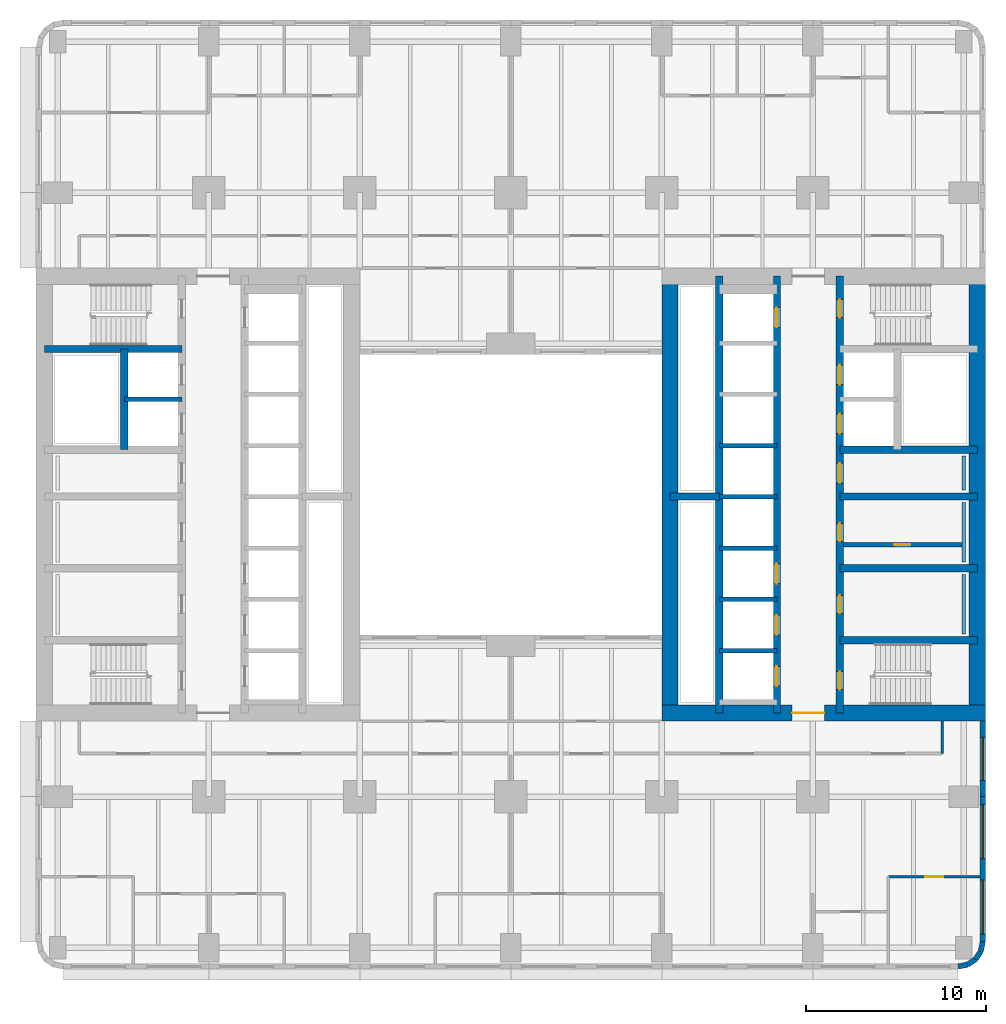
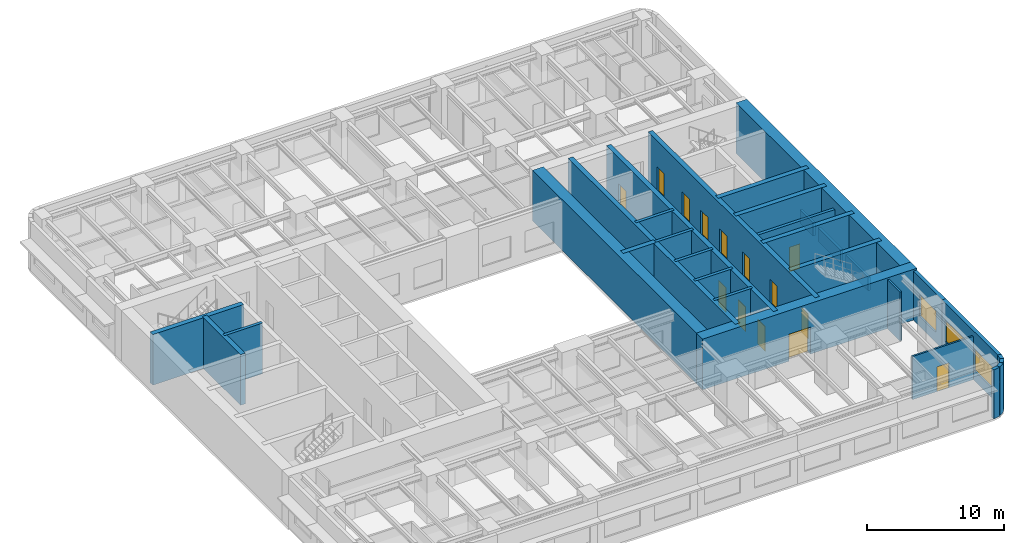
# One storey, part 5 of 12: 31 walls, 14 doors, 3 windows, 17 openings.
"""IFC4 building model written with IfcOpenShell, lengths in metres."""

import ifcopenshell
import ifcopenshell.guid

model = None  # the IFC model being written
_history = None  # IfcOwnerHistory: only IFC2X3 demands one
_inside = {}  # id of a spatial element -> (the spatial element, [elements in it])
_under = {}  # id of a project, library or spatial element -> (it, [spatial elements below it])
_declared = {}  # id of a project -> (the project, [libraries it declares])
_typed = {}  # id of a type object -> (the type object, [elements of that type])
_made_of = {}  # id of a material, layer set ... -> (it, [elements and type objects made of it])


def new_model(schema):
    """Start an empty IFC model of exactly this schema.

    Asked for "IFC4X3", IfcOpenShell would pick the latest addendum, in which some entities
    have other attributes; the version numbers below select the first issue.
    IFC2X3 requires an IfcOwnerHistory on every rooted entity: one is made here for all.
    """
    global model, _history
    if schema == "IFC4X3":
        model = ifcopenshell.file(schema_version=(4, 3, 0, 0))
    else:
        model = ifcopenshell.file(schema=schema)
    _inside.clear()
    _under.clear()
    _declared.clear()
    _typed.clear()
    _made_of.clear()
    _history = None
    if model.schema == "IFC2X3":
        org = make("IfcOrganization", Name="unknown")
        user = make(
            "IfcPersonAndOrganization",
            ThePerson=make("IfcPerson", FamilyName="unknown"),
            TheOrganization=org,
        )
        app = make(
            "IfcApplication",
            ApplicationDeveloper=org,
            Version="unknown",
            ApplicationFullName="unknown",
            ApplicationIdentifier="unknown",
        )
        _history = make(
            "IfcOwnerHistory",
            OwningUser=user,
            OwningApplication=app,
            ChangeAction="ADDED",
            CreationDate=0,
        )
    return model


def make(cls, **values):
    """One entity of the class cls with the attributes given. An attribute that is None is left unset."""
    return model.create_entity(
        cls, **{name: value for name, value in values.items() if value is not None}
    )


def rooted(cls, **values):
    """An entity with a GlobalId (a new one), such as an element, a storey or a relation."""
    return make(cls, GlobalId=ifcopenshell.guid.new(), OwnerHistory=_history, **values)


def si_unit(unit_type, name, prefix=None):
    """IfcSIUnit, for example si_unit("LENGTHUNIT", "METRE", prefix="MILLI")."""
    return make("IfcSIUnit", UnitType=unit_type, Prefix=prefix, Name=name)


def assignment(units):
    """IfcUnitAssignment: the units of a project."""
    return None if units is None else make("IfcUnitAssignment", Units=units)


def point(xyz):
    """IfcCartesianPoint."""
    return None if xyz is None else make("IfcCartesianPoint", Coordinates=xyz)


def direction(xyz):
    """IfcDirection."""
    return None if xyz is None else make("IfcDirection", DirectionRatios=xyz)


def frame(location, z_axis=None, x_axis=None):
    """IfcAxis2Placement3D, a coordinate frame: its origin and axes. An axis left out is left unset."""
    return make(
        "IfcAxis2Placement3D",
        Location=point(location),
        Axis=direction(z_axis),
        RefDirection=direction(x_axis),
    )


def frame_2d(location, x_axis=None):
    """IfcAxis2Placement2D, a coordinate frame in the plane: its origin and x axis."""
    return make(
        "IfcAxis2Placement2D", Location=point(location), RefDirection=direction(x_axis)
    )


def origin():
    """The frame at (0, 0, 0) with its axes left unset."""
    return frame((0.0, 0.0, 0.0))


def place(relative_to, where):
    """IfcLocalPlacement: puts the frame where relative to a parent placement (None: the world)."""
    return make(
        "IfcLocalPlacement", PlacementRelTo=relative_to, RelativePlacement=where
    )


def context(
    kind, dimensions, precision=None, world=None, true_north=None, identifier=None
):
    """IfcGeometricRepresentationContext, for example the 3D "Model" context."""
    return make(
        "IfcGeometricRepresentationContext",
        ContextIdentifier=identifier,
        ContextType=kind,
        CoordinateSpaceDimension=dimensions,
        Precision=precision,
        WorldCoordinateSystem=world,
        TrueNorth=true_north,
    )


def subcontext(parent, identifier, kind, view, scale=None):
    """IfcGeometricRepresentationSubContext, for example "Body" below "Model"."""
    return make(
        "IfcGeometricRepresentationSubContext",
        ContextIdentifier=identifier,
        ContextType=kind,
        ParentContext=parent,
        TargetScale=scale,
        TargetView=view,
    )


def project(units=None, contexts=None):
    """IfcProject with its units and contexts."""
    return rooted(
        "IfcProject",
        Name="project",
        RepresentationContexts=contexts,
        UnitsInContext=assignment(units),
    )


def spatial(cls, under=None, at=None, **own):
    """A site, building, storey or space (cls), placed at a placement, below another one or the project."""
    s = rooted(cls, ObjectPlacement=at, **own)
    if under is not None:
        _under.setdefault(under.id(), (under, []))[1].append(s)
    return s


def profile(cls, at=None, kind="AREA", **sizes):
    """A parametric profile (cls). Its sizes go by their IFC names, for example OverallWidth=200.0."""
    return make(cls, ProfileType=kind, Position=at, **sizes)


def rectangle(**sizes):
    """IfcRectangleProfileDef."""
    return profile("IfcRectangleProfileDef", **sizes)


def extrude(swept, where, along, depth):
    """IfcExtrudedAreaSolid: the profile swept, set in the frame where, extruded along a direction by depth."""
    return make(
        "IfcExtrudedAreaSolid",
        SweptArea=swept,
        Position=where,
        ExtrudedDirection=direction(along),
        Depth=depth,
    )


def shape(context_of_items, identifier, shape_type, items):
    """IfcShapeRepresentation: the items that make up one representation, for example the "Body"."""
    return make(
        "IfcShapeRepresentation",
        ContextOfItems=context_of_items,
        RepresentationIdentifier=identifier,
        RepresentationType=shape_type,
        Items=items,
    )


def material(Name=None, Category=None):
    """IfcMaterial."""
    return make("IfcMaterial", Name=Name, Category=Category)


def layer(
    of_material, thickness, ventilated=None, Name=None, Category=None, Priority=None
):
    """IfcMaterialLayer: one layer of a wall or slab, of a material (None: an air gap)."""
    return make(
        "IfcMaterialLayer",
        Material=of_material,
        LayerThickness=thickness,
        IsVentilated=ventilated,
        Name=Name,
        Category=Category,
        Priority=Priority,
    )


def layer_set(layers, Name=None):
    """IfcMaterialLayerSet."""
    return make("IfcMaterialLayerSet", MaterialLayers=layers, LayerSetName=Name)


def made_of(thing, what):
    """Note that an element or type object is made of a material, layer set ...; save() writes the relation."""
    if what is not None:
        _made_of.setdefault(what.id(), (what, []))[1].append(thing)
    return thing


def type_object(cls, material=None, **own):
    """A type object (cls), such as IfcWallType, which elements share."""
    return made_of(rooted(cls, **own), material)


def element(
    cls,
    number,
    at=None,
    inside=None,
    cuts=None,
    type_object=None,
    material=None,
    context=None,
    identifier="Body",
    shape_type=None,
    held_by="IfcProductDefinitionShape",
    body=None,
    shapes=None,
    **own,
):
    """One element of the class cls, such as IfcWall. Its Tag is "e" and its number.

    at: its placement. inside: the storey or other place that contains it. cuts: it is an
    opening in that element (IfcRelVoidsElement). A single representation is given by context,
    identifier, shape_type and body (its items); several are given by shapes. held_by: the class
    of the entity that holds the representations. save() writes the other relations.
    """
    e = rooted(cls, Tag="e%d" % number, ObjectPlacement=at, **own)
    if body is not None:
        shapes = [shape(context, identifier, shape_type, body)]
    if shapes is not None:
        e.Representation = make(held_by, Representations=shapes)
    if inside is not None:
        _inside.setdefault(inside.id(), (inside, []))[1].append(e)
    if cuts is not None:
        rooted(
            "IfcRelVoidsElement", RelatingBuildingElement=cuts, RelatedOpeningElement=e
        )
    if type_object is not None:
        _typed.setdefault(type_object.id(), (type_object, []))[1].append(e)
    return made_of(e, material)


def fill(opening, filler):
    """IfcRelFillsElement: the door or window that sits in an opening."""
    return rooted(
        "IfcRelFillsElement",
        RelatingOpeningElement=opening,
        RelatedBuildingElement=filler,
    )


def aggregate(whole, parts):
    """IfcRelAggregates: a whole, such as a stair, and the parts it consists of."""
    return rooted("IfcRelAggregates", RelatingObject=whole, RelatedObjects=parts)


def save(model, path):
    """Write the relations noted so far, then the file.

    IfcRelAggregates (storeys below a building ...), IfcRelContainedInSpatialStructure (elements
    in a storey), IfcRelDefinesByType, IfcRelAssociatesMaterial and IfcRelDeclares: one each for
    every whole, place, type object, material and project.
    """
    for whole, parts in _under.values():
        aggregate(whole, parts)
    for where, things in _inside.values():
        rooted(
            "IfcRelContainedInSpatialStructure",
            RelatedElements=things,
            RelatingStructure=where,
        )
    for kind, things in _typed.values():
        rooted("IfcRelDefinesByType", RelatedObjects=things, RelatingType=kind)
    for what, things in _made_of.values():
        rooted("IfcRelAssociatesMaterial", RelatedObjects=things, RelatingMaterial=what)
    for by, libraries in _declared.values():
        rooted("IfcRelDeclares", RelatingContext=by, RelatedDefinitions=libraries)
    model.write(path)


model = new_model("IFC4")

# Units and contexts
model_context = context("Model", 3, precision=1e-05, world=origin(), true_north=direction((0.0, 1.0)))
body_context = subcontext(model_context, "Body", "Model", "MODEL_VIEW")
ifc_project = project(units=[si_unit("LENGTHUNIT", "METRE"), si_unit("AREAUNIT", "SQUARE_METRE"), si_unit("VOLUMEUNIT", "CUBIC_METRE"), si_unit("PLANEANGLEUNIT", "RADIAN"), si_unit("MASSUNIT", "GRAM", prefix="KILO")], contexts=[model_context])

# Site, building, storey
site_placement = place(None, origin())
site = spatial("IfcSite", under=ifc_project, at=site_placement, CompositionType="ELEMENT")
building_placement = place(site_placement, origin())
building = spatial("IfcBuilding", under=site, at=building_placement, Name="Claustro Exchange Tower", CompositionType="ELEMENT")
storey_placement = place(building_placement, frame((0.0, 0.0, 45.89990234375)))
storey = spatial("IfcBuildingStorey", under=building, at=storey_placement, Name="L10", CompositionType="ELEMENT", Elevation=45.89990234375)

# Wall, opening, door
ifc_material_1 = material(Name="Gypsum board on steel studs", Category="steel")
ifc_layer_1 = layer(ifc_material_1, 0.14990234375)
ifc_layer_set_1 = layer_set([ifc_layer_1], Name="Gypsum board on steel studs")
wall_type_1 = type_object("IfcWallType", Name="P1 150 plasterboard partition", PredefinedType="PARTITIONING", material=ifc_layer_set_1)
wall_1_placement = place(storey_placement, frame((46.199951171875, 3.949951171875, 0.0), z_axis=(0.0, 0.0, 1.0), x_axis=(1.0, 0.0, 0.0)))
wall_1 = element("IfcWall", 1, at=wall_1_placement, inside=storey, type_object=wall_type_1, Name="Partition P1 L10", PredefinedType="PARTITIONING", context=body_context, shape_type="SweptSolid", body=[
    extrude(rectangle(XDim=5.10205078125, YDim=0.14990234375, at=frame_2d((2.551025390625, 0.0))), origin(), (0.0, 0.0, 1.0), 3.840087890625),
])
opening_1_placement = place(wall_1_placement, frame((2.050048828125, 0.0, 0.0)))
opening_1 = element("IfcOpeningElement", 2, at=opening_1_placement, cuts=wall_1, Name="Opening D1", PredefinedType="OPENING", context=body_context, shape_type="SweptSolid", body=[
    extrude(rectangle(XDim=1.0, YDim=2.199951171875, at=frame_2d((0.5, 1.10009765625))), frame((0.0, 0.0849609375, 0.0), z_axis=(0.0, -1.0, 0.0), x_axis=(1.0, 0.0, 0.0)), (0.0, 0.0, 1.0), 0.169921875),
])
ifc_material_2 = material(Name="Timber door, oak veneer", Category="wood")
door_type_1 = type_object("IfcDoorType", Name="D1 1000 x 2200 single door", OperationType="SINGLE_SWING_LEFT", PredefinedType="DOOR", material=ifc_material_2)
door_1_placement = place(opening_1_placement, frame((1.0, 0.0, 0.0), z_axis=(0.0, 0.0, 1.0), x_axis=(-1.0, 0.0, 0.0)))
door_1 = element("IfcDoor", 3, at=door_1_placement, inside=storey, type_object=door_type_1, Name="Door D1 L10", OperationType="SINGLE_SWING_RIGHT", OverallHeight=2.199951171875, OverallWidth=1.0, PredefinedType="DOOR", context=body_context, shape_type="SweptSolid", body=[
    extrude(rectangle(XDim=1.0, YDim=2.199951171875, at=frame_2d((0.5, 1.10009765625))), frame((0.0, 0.02490234375, 0.0), z_axis=(0.0, -1.0, 0.0), x_axis=(1.0, 0.0, 0.0)), (0.0, 0.0, 1.0), 0.050048828125),
])
fill(opening_1, door_1)

# Wall
wall_2_placement = place(storey_placement, frame((49.199951171875, 10.800048828125, 0.0), z_axis=(0.0, 0.0, 1.0), x_axis=(0.0, 1.0, 0.0)))
element("IfcWall", 4, at=wall_2_placement, inside=storey, type_object=wall_type_1, Name="Partition P1 L10", PredefinedType="PARTITIONING", context=body_context, shape_type="SweptSolid", body=[
    extrude(rectangle(XDim=1.802001953125, YDim=0.14990234375, at=frame_2d((0.90087890625, 0.0))), origin(), (0.0, 0.0, 1.0), 4.340087890625),
])

# Wall, opening, door
ifc_material_3 = material(Name="Concrete blockwork, rendered", Category="masonry")
ifc_layer_2 = layer(ifc_material_3, 0.25)
ifc_layer_set_2 = layer_set([ifc_layer_2], Name="Concrete blockwork, rendered")
wall_type_2 = type_object("IfcWallType", Name="P4 250 blockwork wall", PredefinedType="PARTITIONING", material=ifc_layer_set_2)
wall_3_placement = place(storey_placement, frame((43.699951171875, 22.39990234375, 0.0), z_axis=(0.0, 0.0, 1.0), x_axis=(1.0, 0.0, 0.0)))
wall_3 = element("IfcWall", 5, at=wall_3_placement, inside=storey, type_object=wall_type_2, Name="Partition P4 L10", PredefinedType="PARTITIONING", context=body_context, shape_type="SweptSolid", body=[
    extrude(rectangle(XDim=6.60009765625, YDim=0.25, at=frame_2d((3.300048828125, 0.0))), origin(), (0.0, 0.0, 1.0), 4.300048828125),
])
opening_2_placement = place(wall_3_placement, frame((2.824951171875, 0.0, 0.0)))
opening_2 = element("IfcOpeningElement", 6, at=opening_2_placement, cuts=wall_3, Name="Opening D5", PredefinedType="OPENING", context=body_context, shape_type="SweptSolid", body=[
    extrude(rectangle(XDim=0.89990234375, YDim=2.199951171875, at=frame_2d((0.449951171875, 1.10009765625))), frame((0.0, 0.135009765625, 0.0), z_axis=(0.0, -1.0, 0.0), x_axis=(1.0, 0.0, 0.0)), (0.0, 0.0, 1.0), 0.27001953125),
])
ifc_material_4 = material(Name="Steel door, painted", Category="steel")
door_type_2 = type_object("IfcDoorType", Name="D5 900 x 2200 store door", OperationType="SINGLE_SWING_LEFT", PredefinedType="DOOR", material=ifc_material_4)
door_2_placement = place(opening_2_placement, frame((0.89990234375, 0.0, 0.0), z_axis=(0.0, 0.0, 1.0), x_axis=(-1.0, 0.0, 0.0)))
door_2 = element("IfcDoor", 7, at=door_2_placement, inside=storey, type_object=door_type_2, Name="Store door D5 L10", OperationType="SINGLE_SWING_LEFT", OverallHeight=2.199951171875, OverallWidth=0.89990234375, PredefinedType="DOOR", context=body_context, shape_type="SweptSolid", body=[
    extrude(rectangle(XDim=0.89990234375, YDim=2.199951171875, at=frame_2d((0.449951171875, 1.10009765625))), frame((0.0, 0.02490234375, 0.0), z_axis=(0.0, -1.0, 0.0), x_axis=(1.0, 0.0, 0.0)), (0.0, 0.0, 1.0), 0.050048828125),
])
fill(opening_2, door_2)

# Wall, opening, window
ifc_material_5 = material(Name="Concrete HA-40 (C40/50), precast, white cement, acid-etched", Category="concrete")
ifc_layer_3 = layer(ifc_material_5, 0.300048828125)
ifc_layer_set_3 = layer_set([ifc_layer_3], Name="Concrete HA-40 (C40/50), precast, white cement, acid-etched")
wall_type_3 = type_object("IfcWallType", Name="PC1 300 precast concrete pier panel", PredefinedType="SOLIDWALL", material=ifc_layer_set_3)
wall_4_placement = place(storey_placement, frame((51.449951171875, 12.60009765625, 0.0), z_axis=(0.0, 0.0, 1.0), x_axis=(0.0, -1.0, 0.0)))
wall_4 = element("IfcWall", 8, at=wall_4_placement, inside=storey, type_object=wall_type_3, Name="Precast pier panel PC1 L10", PredefinedType="SOLIDWALL", context=body_context, shape_type="SweptSolid", body=[
    extrude(rectangle(XDim=4.2001953125, YDim=0.300048828125, at=frame_2d((2.10009765625, 0.0))), origin(), (0.0, 0.0, 1.0), 4.340087890625),
])
opening_3_placement = place(wall_4_placement, frame((0.89990234375, 0.0, 0.89990234375)))
opening_3 = element("IfcOpeningElement", 9, at=opening_3_placement, cuts=wall_4, Name="Opening W2", PredefinedType="OPENING", context=body_context, shape_type="SweptSolid", body=[
    extrude(rectangle(XDim=2.39990234375, YDim=1.89990234375, at=frame_2d((1.199951171875, 0.949951171875))), frame((0.0, 0.159912109375, 0.0), z_axis=(0.0, -1.0, 0.0), x_axis=(1.0, 0.0, 0.0)), (0.0, 0.0, 1.0), 0.320068359375),
])
ifc_material_6 = material(Name="Aluminium frame, clear double glazing", Category="aluminium")
window_type_1 = type_object("IfcWindowType", Name="W2 2400 x 1900 window", PartitioningType="SINGLE_PANEL", PredefinedType="WINDOW", material=ifc_material_6)
window_1_placement = place(opening_3_placement, origin())
window_1 = element("IfcWindow", 10, at=window_1_placement, inside=storey, type_object=window_type_1, Name="Window W2 L10", OverallHeight=1.89990234375, OverallWidth=2.39990234375, PartitioningType="SINGLE_PANEL", PredefinedType="WINDOW", context=body_context, shape_type="SweptSolid", body=[
    extrude(rectangle(XDim=2.39990234375, YDim=1.89990234375, at=frame_2d((1.199951171875, 0.949951171875))), frame((0.0, 0.030029296875, 0.0), z_axis=(0.0, -1.0, 0.0), x_axis=(1.0, 0.0, 0.0)), (0.0, 0.0, 1.0), 0.06005859375),
])
fill(opening_3, window_1)

# Wall, openings, windows
wall_5_placement = place(storey_placement, frame((51.449951171875, 8.39990234375, 0.0), z_axis=(0.0, 0.0, 1.0), x_axis=(0.0, -1.0, 0.0)))
wall_5 = element("IfcWall", 11, at=wall_5_placement, inside=storey, type_object=wall_type_3, Name="Precast pier panel PC1 L10", PredefinedType="SOLIDWALL", context=body_context, shape_type="SweptSolid", body=[
    extrude(rectangle(XDim=8.085205078125, YDim=0.300048828125, at=frame_2d((4.04248046875, 0.0))), origin(), (0.0, 0.0, 1.0), 4.340087890625),
])
opening_4_placement = place(wall_5_placement, frame((0.442626953125, 0.0, 0.89990234375)))
opening_4 = element("IfcOpeningElement", 12, at=opening_4_placement, cuts=wall_5, Name="Opening W1", PredefinedType="OPENING", context=body_context, shape_type="SweptSolid", body=[
    extrude(rectangle(XDim=3.0, YDim=1.89990234375, at=frame_2d((1.5, 0.949951171875))), frame((0.0, 0.159912109375, 0.0), z_axis=(0.0, -1.0, 0.0), x_axis=(1.0, 0.0, 0.0)), (0.0, 0.0, 1.0), 0.320068359375),
])
opening_5_placement = place(wall_5_placement, frame((4.642578125, 0.0, 0.89990234375)))
opening_5 = element("IfcOpeningElement", 13, at=opening_5_placement, cuts=wall_5, Name="Opening W1", PredefinedType="OPENING", context=body_context, shape_type="SweptSolid", body=[
    extrude(rectangle(XDim=3.0, YDim=1.89990234375, at=frame_2d((1.5, 0.949951171875))), frame((0.0, 0.159912109375, 0.0), z_axis=(0.0, -1.0, 0.0), x_axis=(1.0, 0.0, 0.0)), (0.0, 0.0, 1.0), 0.320068359375),
])
ifc_material_7 = material(Name="Aluminium frame, clear double glazing", Category="aluminium")
window_type_2 = type_object("IfcWindowType", Name="W1 3000 x 1900 window", PartitioningType="SINGLE_PANEL", PredefinedType="WINDOW", material=ifc_material_7)
window_2_placement = place(opening_4_placement, origin())
window_2 = element("IfcWindow", 14, at=window_2_placement, inside=storey, type_object=window_type_2, Name="Window W1 L10", OverallHeight=1.89990234375, OverallWidth=3.0, PartitioningType="SINGLE_PANEL", PredefinedType="WINDOW", context=body_context, shape_type="SweptSolid", body=[
    extrude(rectangle(XDim=3.0, YDim=1.89990234375, at=frame_2d((1.5, 0.949951171875))), frame((0.0, 0.030029296875, 0.0), z_axis=(0.0, -1.0, 0.0), x_axis=(1.0, 0.0, 0.0)), (0.0, 0.0, 1.0), 0.06005859375),
])
fill(opening_4, window_2)
window_3_placement = place(opening_5_placement, origin())
window_3 = element("IfcWindow", 15, at=window_3_placement, inside=storey, type_object=window_type_2, Name="Window W1 L10", OverallHeight=1.89990234375, OverallWidth=3.0, PartitioningType="SINGLE_PANEL", PredefinedType="WINDOW", context=body_context, shape_type="SweptSolid", body=[
    extrude(rectangle(XDim=3.0, YDim=1.89990234375, at=frame_2d((1.5, 0.949951171875))), frame((0.0, 0.030029296875, 0.0), z_axis=(0.0, -1.0, 0.0), x_axis=(1.0, 0.0, 0.0)), (0.0, 0.0, 1.0), 0.06005859375),
])
fill(opening_5, window_3)

# Walls
wall_6_placement = place(storey_placement, frame((51.449951171875, 0.314697265625, 0.0), z_axis=(0.0, 0.0, 1.0), x_axis=(-0.195073962632, -0.980788534345, 0.0)))
element("IfcWall", 16, at=wall_6_placement, inside=storey, type_object=wall_type_3, Name="Precast pier panel PC1 L10", PredefinedType="SOLIDWALL", context=body_context, shape_type="SweptSolid", body=[
    extrude(rectangle(XDim=0.540771484375, YDim=0.300048828125, at=frame_2d((0.2705078125, 0.0))), origin(), (0.0, 0.0, 1.0), 4.340087890625),
])
for number, where, z_axis, x_axis, name in (
    (17, (51.344482421875, -0.215576171875, 0.0), (0.0, 0.0, 1.0), (-0.555557463938, -0.831478144188, 0.0), "Precast pier panel PC1 L10"),
    (18, (51.052490234375, -0.652587890625, 0.0), (0.0, 0.0, 1.0), (-0.831478144188, -0.555557463938, 0.0), "Precast pier panel PC1 L10"),
):
    element("IfcWall", number, at=place(storey_placement, frame(where, z_axis=z_axis, x_axis=x_axis)), inside=storey, type_object=wall_type_3, Name=name, PredefinedType="SOLIDWALL", context=body_context, shape_type="SweptSolid", body=[
        extrude(rectangle(XDim=0.525634765625, YDim=0.300048828125, at=frame_2d((0.2626953125, 0.0))), origin(), (0.0, 0.0, 1.0), 4.340087890625),
    ])
wall_7_placement = place(storey_placement, frame((50.615478515625, -0.944580078125, 0.0), z_axis=(0.0, 0.0, 1.0), x_axis=(-0.980788534345, -0.195073962632, 0.0)))
element("IfcWall", 19, at=wall_7_placement, inside=storey, type_object=wall_type_3, Name="Precast pier panel PC1 L10", PredefinedType="SOLIDWALL", context=body_context, shape_type="SweptSolid", body=[
    extrude(rectangle(XDim=0.540771484375, YDim=0.300048828125, at=frame_2d((0.2705078125, 0.0))), origin(), (0.0, 0.0, 1.0), 4.340087890625),
])
ifc_material_8 = material(Name="Gypsum board on steel studs, tiled", Category="steel")
ifc_layer_4 = layer(ifc_material_8, 0.199951171875)
ifc_layer_set_4 = layer_set([ifc_layer_4], Name="Gypsum board on steel studs, tiled")
wall_type_4 = type_object("IfcWallType", Name="PW1 200 WC duct wall", PredefinedType="PLUMBINGWALL", material=ifc_layer_set_4)
for number, where, z_axis, x_axis, name in (
    (20, (50.39990234375, 17.449951171875, 0.0), (0.0, 0.0, 1.0), (0.0, 1.0, 0.0), "WC duct wall PW1 L10"),
    (21, (50.39990234375, 21.449951171875, 0.0), (0.0, 0.0, 1.0), (0.0, 1.0, 0.0), "WC duct wall PW1 L10"),
):
    element("IfcWall", number, at=place(storey_placement, frame(where, z_axis=z_axis, x_axis=x_axis)), inside=storey, type_object=wall_type_4, Name=name, PredefinedType="PLUMBINGWALL", context=body_context, shape_type="SweptSolid", body=[
        extrude(rectangle(XDim=3.300048828125, YDim=0.199951171875, at=frame_2d((1.64990234375, 0.0))), origin(), (0.0, 0.0, 1.0), 1.2001953125),
    ])
wall_8_placement = place(storey_placement, frame((50.39990234375, 25.449951171875, 0.0), z_axis=(0.0, 0.0, 1.0), x_axis=(0.0, 1.0, 0.0)))
element("IfcWall", 22, at=wall_8_placement, inside=storey, type_object=wall_type_4, Name="WC duct wall PW1 L10", PredefinedType="PLUMBINGWALL", context=body_context, shape_type="SweptSolid", body=[
    extrude(rectangle(XDim=1.900146484375, YDim=0.199951171875, at=frame_2d((0.9501953125, 0.0))), origin(), (0.0, 0.0, 1.0), 1.2001953125),
])

# Wall, opening, door
ifc_material_9 = material(Name="Concrete HA-70 (C70/85)", Category="concrete")
ifc_layer_5 = layer(ifc_material_9, 0.89990234375)
ifc_layer_set_5 = layer_set([ifc_layer_5], Name="Concrete HA-70 (C70/85)")
wall_type_5 = type_object("IfcWallType", Name="SW1 900 core shear wall", PredefinedType="SHEAR", material=ifc_layer_set_5)
wall_9_placement = place(storey_placement, frame((33.60009765625, 13.050048828125, 0.0), z_axis=(0.0, 0.0, 1.0), x_axis=(1.0, 0.0, 0.0)))
wall_9 = element("IfcWall", 23, at=wall_9_placement, inside=storey, type_object=wall_type_5, Name="Core wall SW1 E core S face L10", PredefinedType="SHEAR", context=body_context, shape_type="SweptSolid", body=[
    extrude(rectangle(XDim=18.0, YDim=0.89990234375, at=frame_2d((9.0, 0.0))), origin(), (0.0, 0.0, 1.0), 4.5),
])
opening_6_placement = place(wall_9_placement, frame((7.25, 0.0, 0.0)))
opening_6 = element("IfcOpeningElement", 24, at=opening_6_placement, cuts=wall_9, Name="Opening D3", PredefinedType="OPENING", context=body_context, shape_type="SweptSolid", body=[
    extrude(rectangle(XDim=1.800048828125, YDim=2.39990234375, at=frame_2d((0.89990234375, 1.199951171875))), frame((0.0, 0.4599609375, 0.0), z_axis=(0.0, -1.0, 0.0), x_axis=(1.0, 0.0, 0.0)), (0.0, 0.0, 1.0), 0.919921875),
])
ifc_material_10 = material(Name="Steel fire door, painted", Category="steel")
door_type_3 = type_object("IfcDoorType", Name="D3 1800 x 2400 fire-rated lobby double door", OperationType="DOUBLE_DOOR_SINGLE_SWING", PredefinedType="DOOR", material=ifc_material_10)
door_3_placement = place(opening_6_placement, origin())
door_3 = element("IfcDoor", 25, at=door_3_placement, inside=storey, type_object=door_type_3, Name="Lift lobby door D3 L10", OperationType="DOUBLE_DOOR_SINGLE_SWING", OverallHeight=2.39990234375, OverallWidth=1.800048828125, PredefinedType="DOOR", context=body_context, shape_type="SweptSolid", body=[
    extrude(rectangle(XDim=1.800048828125, YDim=2.39990234375, at=frame_2d((0.89990234375, 1.199951171875))), frame((0.0, 0.02490234375, 0.0), z_axis=(0.0, -1.0, 0.0), x_axis=(1.0, 0.0, 0.0)), (0.0, 0.0, 1.0), 0.050048828125),
])
fill(opening_6, door_3)

# Walls
ifc_material_11 = material(Name="Concrete HA-70 (C70/85)", Category="concrete")
ifc_layer_6 = layer(ifc_material_11, 0.89990234375)
ifc_layer_set_6 = layer_set([ifc_layer_6], Name="Concrete HA-70 (C70/85)")
wall_type_6 = type_object("IfcWallType", Name="SW1X 900 exposed core shear wall, board-marked face", PredefinedType="SHEAR", material=ifc_layer_set_6)
for number, where, z_axis, x_axis, name in (
    (26, (34.050048828125, 13.050048828125, 0.0), (0.0, 0.0, 1.0), (0.0, 1.0, 0.0), "Core wall SW1X E core W face L10"),
    (27, (51.14990234375, 13.050048828125, 0.0), (0.0, 0.0, 1.0), (0.0, 1.0, 0.0), "Core wall SW1X E core E face L10"),
):
    element("IfcWall", number, at=place(storey_placement, frame(where, z_axis=z_axis, x_axis=x_axis)), inside=storey, type_object=wall_type_6, Name=name, PredefinedType="SHEAR", context=body_context, shape_type="SweptSolid", body=[
        extrude(rectangle(XDim=24.300048828125, YDim=0.89990234375, at=frame_2d((12.14990234375, 0.0))), origin(), (0.0, 0.0, 1.0), 4.5),
    ])
ifc_material_12 = material(Name="Concrete HA-50 (C50/60)", Category="concrete")
ifc_layer_7 = layer(ifc_material_12, 0.39990234375)
ifc_layer_set_7 = layer_set([ifc_layer_7], Name="Concrete HA-50 (C50/60)")
wall_type_7 = type_object("IfcWallType", Name="SW4 400 internal core wall", PredefinedType="SHEAR", material=ifc_layer_set_7)
wall_10_placement = place(storey_placement, frame((-0.75, 33.300048828125, 0.0), z_axis=(0.0, 0.0, 1.0), x_axis=(1.0, 0.0, 0.0)))
element("IfcWall", 28, at=wall_10_placement, inside=storey, type_object=wall_type_7, Name="Internal core wall SW4 W core L10", PredefinedType="SHEAR", context=body_context, shape_type="SweptSolid", body=[
    extrude(rectangle(XDim=7.64990234375, YDim=0.39990234375, at=frame_2d((3.824951171875, 0.0))), origin(), (0.0, 0.0, 1.0), 4.5),
])
wall_11_placement = place(storey_placement, frame((3.699951171875, 27.699951171875, 0.0), z_axis=(0.0, 0.0, 1.0), x_axis=(0.0, 1.0, 0.0)))
element("IfcWall", 29, at=wall_11_placement, inside=storey, type_object=wall_type_7, Name="Internal core wall SW4 W core L10", PredefinedType="SHEAR", context=body_context, shape_type="SweptSolid", body=[
    extrude(rectangle(XDim=5.60009765625, YDim=0.39990234375, at=frame_2d((2.800048828125, 0.0))), origin(), (0.0, 0.0, 1.0), 4.5),
])

# Wall, openings, doors
wall_12_placement = place(storey_placement, frame((43.5, 13.050048828125, 0.0), z_axis=(0.0, 0.0, 1.0), x_axis=(0.0, 1.0, 0.0)))
wall_12 = element("IfcWall", 30, at=wall_12_placement, inside=storey, type_object=wall_type_7, Name="Internal core wall SW4 E core L10", PredefinedType="SHEAR", context=body_context, shape_type="SweptSolid", body=[
    extrude(rectangle(XDim=24.300048828125, YDim=0.39990234375, at=frame_2d((12.14990234375, 0.0))), origin(), (0.0, 0.0, 1.0), 4.5),
])
opening_7_placement = place(wall_12_placement, frame((1.300048828125, 0.0, 0.0)))
opening_7 = element("IfcOpeningElement", 31, at=opening_7_placement, cuts=wall_12, Name="Opening D4", PredefinedType="OPENING", context=body_context, shape_type="SweptSolid", body=[
    extrude(rectangle(XDim=1.0, YDim=2.199951171875, at=frame_2d((0.5, 1.10009765625))), frame((0.0, 0.2099609375, 0.0), z_axis=(0.0, -1.0, 0.0), x_axis=(1.0, 0.0, 0.0)), (0.0, 0.0, 1.0), 0.419921875),
])
opening_8_placement = place(wall_12_placement, frame((22.0, 0.0, 0.0)))
opening_8 = element("IfcOpeningElement", 32, at=opening_8_placement, cuts=wall_12, Name="Opening D4", PredefinedType="OPENING", context=body_context, shape_type="SweptSolid", body=[
    extrude(rectangle(XDim=1.0, YDim=2.199951171875, at=frame_2d((0.5, 1.10009765625))), frame((0.0, 0.2099609375, 0.0), z_axis=(0.0, -1.0, 0.0), x_axis=(1.0, 0.0, 0.0)), (0.0, 0.0, 1.0), 0.419921875),
])
opening_9_placement = place(wall_12_placement, frame((5.550048828125, 0.0, 0.0)))
opening_9 = element("IfcOpeningElement", 33, at=opening_9_placement, cuts=wall_12, Name="Opening D1", PredefinedType="OPENING", context=body_context, shape_type="SweptSolid", body=[
    extrude(rectangle(XDim=1.0, YDim=2.199951171875, at=frame_2d((0.5, 1.10009765625))), frame((0.0, 0.2099609375, 0.0), z_axis=(0.0, -1.0, 0.0), x_axis=(1.0, 0.0, 0.0)), (0.0, 0.0, 1.0), 0.419921875),
])
opening_10_placement = place(wall_12_placement, frame((9.550048828125, 0.0, 0.0)))
opening_10 = element("IfcOpeningElement", 34, at=opening_10_placement, cuts=wall_12, Name="Opening D1", PredefinedType="OPENING", context=body_context, shape_type="SweptSolid", body=[
    extrude(rectangle(XDim=1.0, YDim=2.199951171875, at=frame_2d((0.5, 1.10009765625))), frame((0.0, 0.2099609375, 0.0), z_axis=(0.0, -1.0, 0.0), x_axis=(1.0, 0.0, 0.0)), (0.0, 0.0, 1.0), 0.419921875),
])
opening_11_placement = place(wall_12_placement, frame((12.800048828125, 0.0, 0.0)))
opening_11 = element("IfcOpeningElement", 35, at=opening_11_placement, cuts=wall_12, Name="Opening D10", PredefinedType="OPENING", context=body_context, shape_type="SweptSolid", body=[
    extrude(rectangle(XDim=1.10009765625, YDim=2.199951171875, at=frame_2d((0.550048828125, 1.10009765625))), frame((0.0, 0.2099609375, 0.0), z_axis=(0.0, -1.0, 0.0), x_axis=(1.0, 0.0, 0.0)), (0.0, 0.0, 1.0), 0.419921875),
])
opening_12_placement = place(wall_12_placement, frame((15.53759765625, 0.0, 0.0)))
opening_12 = element("IfcOpeningElement", 36, at=opening_12_placement, cuts=wall_12, Name="Opening LD", PredefinedType="OPENING", context=body_context, shape_type="SweptSolid", body=[
    extrude(rectangle(XDim=1.10009765625, YDim=2.199951171875, at=frame_2d((0.550048828125, 1.10009765625))), frame((0.0, 0.2099609375, 0.0), z_axis=(0.0, -1.0, 0.0), x_axis=(1.0, 0.0, 0.0)), (0.0, 0.0, 1.0), 0.419921875),
])
opening_13_placement = place(wall_12_placement, frame((18.262451171875, 0.0, 0.0)))
opening_13 = element("IfcOpeningElement", 37, at=opening_13_placement, cuts=wall_12, Name="Opening LD", PredefinedType="OPENING", context=body_context, shape_type="SweptSolid", body=[
    extrude(rectangle(XDim=1.10009765625, YDim=2.199951171875, at=frame_2d((0.550048828125, 1.10009765625))), frame((0.0, 0.2099609375, 0.0), z_axis=(0.0, -1.0, 0.0), x_axis=(1.0, 0.0, 0.0)), (0.0, 0.0, 1.0), 0.419921875),
])
door_4_placement = place(opening_9_placement, frame((1.0, 0.0, 0.0), z_axis=(0.0, 0.0, 1.0), x_axis=(-1.0, 0.0, 0.0)))
door_4 = element("IfcDoor", 38, at=door_4_placement, inside=storey, type_object=door_type_1, Name="Door D1 L10", OperationType="SINGLE_SWING_LEFT", OverallHeight=2.199951171875, OverallWidth=1.0, PredefinedType="DOOR", context=body_context, shape_type="SweptSolid", body=[
    extrude(rectangle(XDim=1.0, YDim=2.199951171875, at=frame_2d((0.5, 1.10009765625))), frame((0.0, 0.02490234375, 0.0), z_axis=(0.0, -1.0, 0.0), x_axis=(1.0, 0.0, 0.0)), (0.0, 0.0, 1.0), 0.050048828125),
])
fill(opening_9, door_4)
door_5_placement = place(opening_10_placement, frame((1.0, 0.0, 0.0), z_axis=(0.0, 0.0, 1.0), x_axis=(-1.0, 0.0, 0.0)))
door_5 = element("IfcDoor", 39, at=door_5_placement, inside=storey, type_object=door_type_1, Name="Door D1 L10", OperationType="SINGLE_SWING_RIGHT", OverallHeight=2.199951171875, OverallWidth=1.0, PredefinedType="DOOR", context=body_context, shape_type="SweptSolid", body=[
    extrude(rectangle(XDim=1.0, YDim=2.199951171875, at=frame_2d((0.5, 1.10009765625))), frame((0.0, 0.02490234375, 0.0), z_axis=(0.0, -1.0, 0.0), x_axis=(1.0, 0.0, 0.0)), (0.0, 0.0, 1.0), 0.050048828125),
])
fill(opening_10, door_5)
ifc_material_13 = material(Name="Timber door, oak veneer", Category="wood")
door_type_4 = type_object("IfcDoorType", Name="D10 1100 x 2200 accessible WC door", OperationType="SINGLE_SWING_LEFT", PredefinedType="DOOR", material=ifc_material_13)
door_6_placement = place(opening_11_placement, origin())
door_6 = element("IfcDoor", 40, at=door_6_placement, inside=storey, type_object=door_type_4, Name="Accessible WC door D10 L10", OperationType="SINGLE_SWING_RIGHT", OverallHeight=2.199951171875, OverallWidth=1.10009765625, PredefinedType="DOOR", context=body_context, shape_type="SweptSolid", body=[
    extrude(rectangle(XDim=1.10009765625, YDim=2.199951171875, at=frame_2d((0.550048828125, 1.10009765625))), frame((0.0, 0.02490234375, 0.0), z_axis=(0.0, -1.0, 0.0), x_axis=(1.0, 0.0, 0.0)), (0.0, 0.0, 1.0), 0.050048828125),
])
fill(opening_11, door_6)
ifc_material_14 = material(Name="Steel fire door, painted", Category="steel")
door_type_5 = type_object("IfcDoorType", Name="D4 1000 x 2200 fire-rated stair door", OperationType="SINGLE_SWING_LEFT", PredefinedType="DOOR", material=ifc_material_14)
door_7_placement = place(opening_7_placement, frame((1.0, 0.0, 0.0), z_axis=(0.0, 0.0, 1.0), x_axis=(-1.0, 0.0, 0.0)))
door_7 = element("IfcDoor", 41, at=door_7_placement, inside=storey, type_object=door_type_5, Name="Stair door D4 L10", OperationType="SINGLE_SWING_RIGHT", OverallHeight=2.199951171875, OverallWidth=1.0, PredefinedType="DOOR", context=body_context, shape_type="SweptSolid", body=[
    extrude(rectangle(XDim=1.0, YDim=2.199951171875, at=frame_2d((0.5, 1.10009765625))), frame((0.0, 0.02490234375, 0.0), z_axis=(0.0, -1.0, 0.0), x_axis=(1.0, 0.0, 0.0)), (0.0, 0.0, 1.0), 0.050048828125),
])
fill(opening_7, door_7)
door_8_placement = place(opening_8_placement, frame((1.0, 0.0, 0.0), z_axis=(0.0, 0.0, 1.0), x_axis=(-1.0, 0.0, 0.0)))
door_8 = element("IfcDoor", 42, at=door_8_placement, inside=storey, type_object=door_type_5, Name="Stair door D4 L10", OperationType="SINGLE_SWING_LEFT", OverallHeight=2.199951171875, OverallWidth=1.0, PredefinedType="DOOR", context=body_context, shape_type="SweptSolid", body=[
    extrude(rectangle(XDim=1.0, YDim=2.199951171875, at=frame_2d((0.5, 1.10009765625))), frame((0.0, 0.02490234375, 0.0), z_axis=(0.0, -1.0, 0.0), x_axis=(1.0, 0.0, 0.0)), (0.0, 0.0, 1.0), 0.050048828125),
])
fill(opening_8, door_8)
ifc_material_15 = material(Name="Stainless steel sliding door", Category="steel")
door_type_6 = type_object("IfcDoorType", Name="LD 1100 x 2200 lift landing door", OperationType="DOUBLE_DOOR_SLIDING", PredefinedType="DOOR", material=ifc_material_15)
door_9_placement = place(opening_12_placement, origin())
door_9 = element("IfcDoor", 43, at=door_9_placement, inside=storey, type_object=door_type_6, Name="Lift landing door LEE1 LD L10", OperationType="DOUBLE_DOOR_SLIDING", OverallHeight=2.199951171875, OverallWidth=1.10009765625, PredefinedType="DOOR", context=body_context, shape_type="SweptSolid", body=[
    extrude(rectangle(XDim=1.10009765625, YDim=2.199951171875, at=frame_2d((0.550048828125, 1.10009765625))), frame((0.0, 0.02490234375, 0.0), z_axis=(0.0, -1.0, 0.0), x_axis=(1.0, 0.0, 0.0)), (0.0, 0.0, 1.0), 0.050048828125),
])
fill(opening_12, door_9)
door_10_placement = place(opening_13_placement, origin())
door_10 = element("IfcDoor", 44, at=door_10_placement, inside=storey, type_object=door_type_6, Name="Lift landing door LEE2 LD L10", OperationType="DOUBLE_DOOR_SLIDING", OverallHeight=2.199951171875, OverallWidth=1.10009765625, PredefinedType="DOOR", context=body_context, shape_type="SweptSolid", body=[
    extrude(rectangle(XDim=1.10009765625, YDim=2.199951171875, at=frame_2d((0.550048828125, 1.10009765625))), frame((0.0, 0.02490234375, 0.0), z_axis=(0.0, -1.0, 0.0), x_axis=(1.0, 0.0, 0.0)), (0.0, 0.0, 1.0), 0.050048828125),
])
fill(opening_13, door_10)

wall_13_placement = place(storey_placement, frame((40.0, 13.050048828125, 0.0), z_axis=(0.0, 0.0, 1.0), x_axis=(0.0, 1.0, 0.0)))
wall_13 = element("IfcWall", 45, at=wall_13_placement, inside=storey, type_object=wall_type_7, Name="Internal core wall SW4 E core L10", PredefinedType="SHEAR", context=body_context, shape_type="SweptSolid", body=[
    extrude(rectangle(XDim=24.300048828125, YDim=0.39990234375, at=frame_2d((12.14990234375, 0.0))), origin(), (0.0, 0.0, 1.0), 4.5),
])
opening_14_placement = place(wall_13_placement, frame((1.5, 0.0, 0.0)))
opening_14 = element("IfcOpeningElement", 46, at=opening_14_placement, cuts=wall_13, Name="Opening LD", PredefinedType="OPENING", context=body_context, shape_type="SweptSolid", body=[
    extrude(rectangle(XDim=1.10009765625, YDim=2.199951171875, at=frame_2d((0.550048828125, 1.10009765625))), frame((0.0, 0.2099609375, 0.0), z_axis=(0.0, -1.0, 0.0), x_axis=(1.0, 0.0, 0.0)), (0.0, 0.0, 1.0), 0.419921875),
])
opening_15_placement = place(wall_13_placement, frame((4.35009765625, 0.0, 0.0)))
opening_15 = element("IfcOpeningElement", 47, at=opening_15_placement, cuts=wall_13, Name="Opening LD", PredefinedType="OPENING", context=body_context, shape_type="SweptSolid", body=[
    extrude(rectangle(XDim=1.10009765625, YDim=2.199951171875, at=frame_2d((0.550048828125, 1.10009765625))), frame((0.0, 0.2099609375, 0.0), z_axis=(0.0, -1.0, 0.0), x_axis=(1.0, 0.0, 0.0)), (0.0, 0.0, 1.0), 0.419921875),
])
opening_16_placement = place(wall_13_placement, frame((7.199951171875, 0.0, 0.0)))
opening_16 = element("IfcOpeningElement", 48, at=opening_16_placement, cuts=wall_13, Name="Opening LD", PredefinedType="OPENING", context=body_context, shape_type="SweptSolid", body=[
    extrude(rectangle(XDim=1.10009765625, YDim=2.199951171875, at=frame_2d((0.550048828125, 1.10009765625))), frame((0.0, 0.2099609375, 0.0), z_axis=(0.0, -1.0, 0.0), x_axis=(1.0, 0.0, 0.0)), (0.0, 0.0, 1.0), 0.419921875),
])
opening_17_placement = place(wall_13_placement, frame((21.449951171875, 0.0, 0.0)))
opening_17 = element("IfcOpeningElement", 49, at=opening_17_placement, cuts=wall_13, Name="Opening LD", PredefinedType="OPENING", context=body_context, shape_type="SweptSolid", body=[
    extrude(rectangle(XDim=1.10009765625, YDim=2.199951171875, at=frame_2d((0.550048828125, 1.10009765625))), frame((0.0, 0.2099609375, 0.0), z_axis=(0.0, -1.0, 0.0), x_axis=(1.0, 0.0, 0.0)), (0.0, 0.0, 1.0), 0.419921875),
])
door_11_placement = place(opening_14_placement, origin())
door_11 = element("IfcDoor", 50, at=door_11_placement, inside=storey, type_object=door_type_6, Name="Lift landing door LLE1 LD L10", OperationType="DOUBLE_DOOR_SLIDING", OverallHeight=2.199951171875, OverallWidth=1.10009765625, PredefinedType="DOOR", context=body_context, shape_type="SweptSolid", body=[
    extrude(rectangle(XDim=1.10009765625, YDim=2.199951171875, at=frame_2d((0.550048828125, 1.10009765625))), frame((0.0, 0.02490234375, 0.0), z_axis=(0.0, -1.0, 0.0), x_axis=(1.0, 0.0, 0.0)), (0.0, 0.0, 1.0), 0.050048828125),
])
fill(opening_14, door_11)
door_12_placement = place(opening_15_placement, origin())
door_12 = element("IfcDoor", 51, at=door_12_placement, inside=storey, type_object=door_type_6, Name="Lift landing door LLE2 LD L10", OperationType="DOUBLE_DOOR_SLIDING", OverallHeight=2.199951171875, OverallWidth=1.10009765625, PredefinedType="DOOR", context=body_context, shape_type="SweptSolid", body=[
    extrude(rectangle(XDim=1.10009765625, YDim=2.199951171875, at=frame_2d((0.550048828125, 1.10009765625))), frame((0.0, 0.02490234375, 0.0), z_axis=(0.0, -1.0, 0.0), x_axis=(1.0, 0.0, 0.0)), (0.0, 0.0, 1.0), 0.050048828125),
])
fill(opening_15, door_12)
door_13_placement = place(opening_16_placement, origin())
door_13 = element("IfcDoor", 52, at=door_13_placement, inside=storey, type_object=door_type_6, Name="Lift landing door LLE3 LD L10", OperationType="DOUBLE_DOOR_SLIDING", OverallHeight=2.199951171875, OverallWidth=1.10009765625, PredefinedType="DOOR", context=body_context, shape_type="SweptSolid", body=[
    extrude(rectangle(XDim=1.10009765625, YDim=2.199951171875, at=frame_2d((0.550048828125, 1.10009765625))), frame((0.0, 0.02490234375, 0.0), z_axis=(0.0, -1.0, 0.0), x_axis=(1.0, 0.0, 0.0)), (0.0, 0.0, 1.0), 0.050048828125),
])
fill(opening_16, door_13)
door_14_placement = place(opening_17_placement, origin())
door_14 = element("IfcDoor", 53, at=door_14_placement, inside=storey, type_object=door_type_6, Name="Lift landing door LSE1 LD L10", OperationType="DOUBLE_DOOR_SLIDING", OverallHeight=2.199951171875, OverallWidth=1.10009765625, PredefinedType="DOOR", context=body_context, shape_type="SweptSolid", body=[
    extrude(rectangle(XDim=1.10009765625, YDim=2.199951171875, at=frame_2d((0.550048828125, 1.10009765625))), frame((0.0, 0.02490234375, 0.0), z_axis=(0.0, -1.0, 0.0), x_axis=(1.0, 0.0, 0.0)), (0.0, 0.0, 1.0), 0.050048828125),
])
fill(opening_17, door_14)

# Walls
wall_14_placement = place(storey_placement, frame((36.800048828125, 13.050048828125, 0.0), z_axis=(0.0, 0.0, 1.0), x_axis=(0.0, 1.0, 0.0)))
element("IfcWall", 54, at=wall_14_placement, inside=storey, type_object=wall_type_7, Name="Internal core wall SW4 E core L10", PredefinedType="SHEAR", context=body_context, shape_type="SweptSolid", body=[
    extrude(rectangle(XDim=24.300048828125, YDim=0.39990234375, at=frame_2d((12.14990234375, 0.0))), origin(), (0.0, 0.0, 1.0), 4.5),
])
for number, where, z_axis, x_axis, name in (
    (55, (51.14990234375, 17.10009765625, 0.0), (0.0, 0.0, 1.0), (-1.0, 0.0, 0.0), "Internal core wall SW4 E core L10"),
    (56, (51.14990234375, 21.10009765625, 0.0), (0.0, 0.0, 1.0), (-1.0, 0.0, 0.0), "Internal core wall SW4 E core L10"),
    (57, (51.14990234375, 25.10009765625, 0.0), (0.0, 0.0, 1.0), (-1.0, 0.0, 0.0), "Internal core wall SW4 E core L10"),
    (58, (51.14990234375, 27.699951171875, 0.0), (0.0, 0.0, 1.0), (-1.0, 0.0, 0.0), "Internal core wall SW4 E core L10"),
):
    element("IfcWall", number, at=place(storey_placement, frame(where, z_axis=z_axis, x_axis=x_axis)), inside=storey, type_object=wall_type_7, Name=name, PredefinedType="SHEAR", context=body_context, shape_type="SweptSolid", body=[
        extrude(rectangle(XDim=7.64990234375, YDim=0.39990234375, at=frame_2d((3.824951171875, 0.0))), origin(), (0.0, 0.0, 1.0), 4.5),
    ])
wall_15_placement = place(storey_placement, frame((36.800048828125, 25.10009765625, 0.0), z_axis=(0.0, 0.0, 1.0), x_axis=(-1.0, 0.0, 0.0)))
element("IfcWall", 59, at=wall_15_placement, inside=storey, type_object=wall_type_7, Name="Internal core wall SW4 E core L10", PredefinedType="SHEAR", context=body_context, shape_type="SweptSolid", body=[
    extrude(rectangle(XDim=2.75, YDim=0.39990234375, at=frame_2d((1.375, 0.0))), origin(), (0.0, 0.0, 1.0), 4.5),
])
ifc_material_16 = material(Name="Concrete HA-50 (C50/60)", Category="concrete")
ifc_layer_8 = layer(ifc_material_16, 0.25)
ifc_layer_set_8 = layer_set([ifc_layer_8], Name="Concrete HA-50 (C50/60)")
wall_type_8 = type_object("IfcWallType", Name="SW5 250 lift shaft divider wall", PredefinedType="SHEAR", material=ifc_layer_set_8)
for number, where, z_axis, x_axis, name in (
    (60, (3.699951171875, 30.5, 0.0), (0.0, 0.0, 1.0), (1.0, 0.0, 0.0), "Lift shaft wall W core L10"),
    (61, (40.0, 16.52490234375, 0.0), (0.0, 0.0, 1.0), (-1.0, 0.0, 0.0), "Lift shaft wall E core L10"),
    (62, (40.0, 19.375, 0.0), (0.0, 0.0, 1.0), (-1.0, 0.0, 0.0), "Lift shaft wall E core L10"),
    (63, (40.0, 22.22509765625, 0.0), (0.0, 0.0, 1.0), (-1.0, 0.0, 0.0), "Lift shaft wall E core L10"),
    (64, (40.0, 25.074951171875, 0.0), (0.0, 0.0, 1.0), (-1.0, 0.0, 0.0), "Lift shaft wall E core L10"),
    (65, (40.0, 27.925048828125, 0.0), (0.0, 0.0, 1.0), (-1.0, 0.0, 0.0), "Lift shaft wall E core L10"),
):
    element("IfcWall", number, at=place(storey_placement, frame(where, z_axis=z_axis, x_axis=x_axis)), inside=storey, type_object=wall_type_8, Name=name, PredefinedType="SHEAR", context=body_context, shape_type="SweptSolid", body=[
        extrude(rectangle(XDim=3.199951171875, YDim=0.25, at=frame_2d((1.60009765625, 0.0))), origin(), (0.0, 0.0, 1.0), 4.5),
    ])

save(model, "model.ifc")
